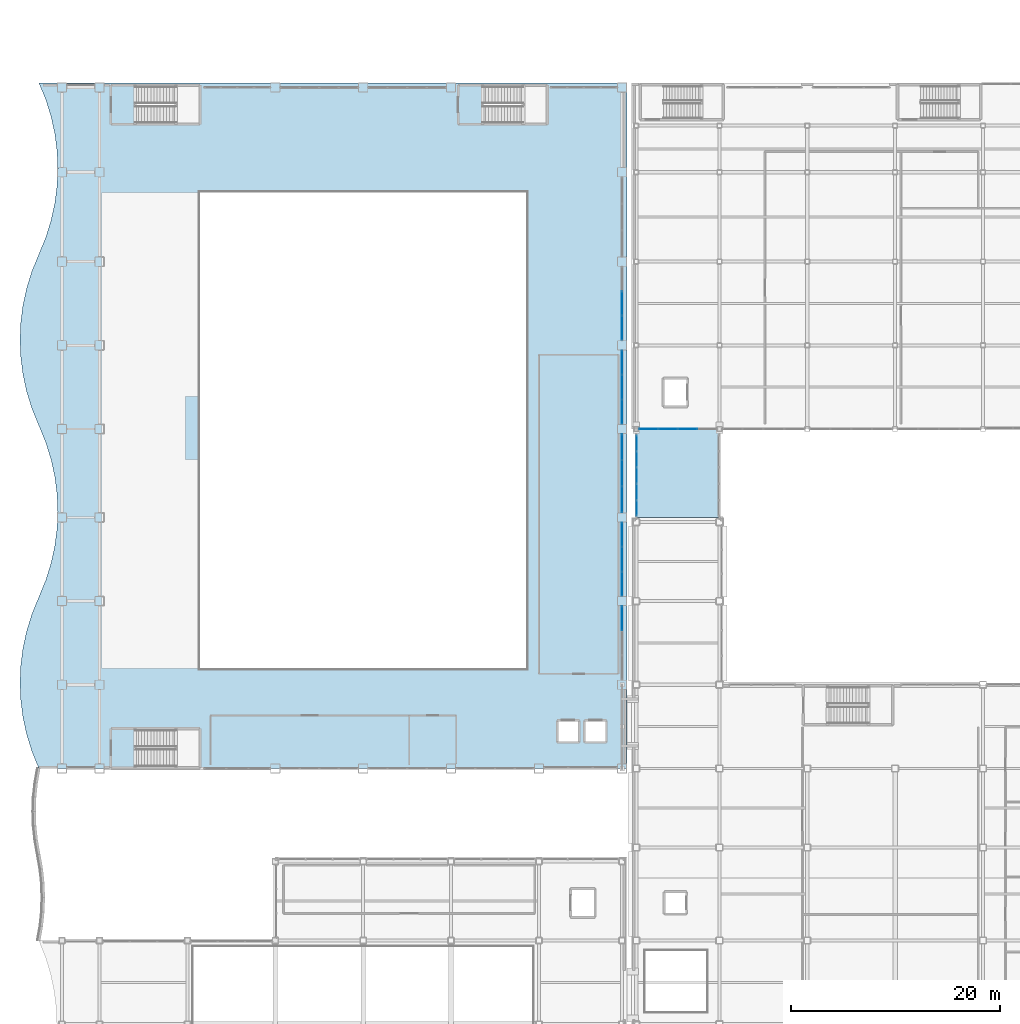
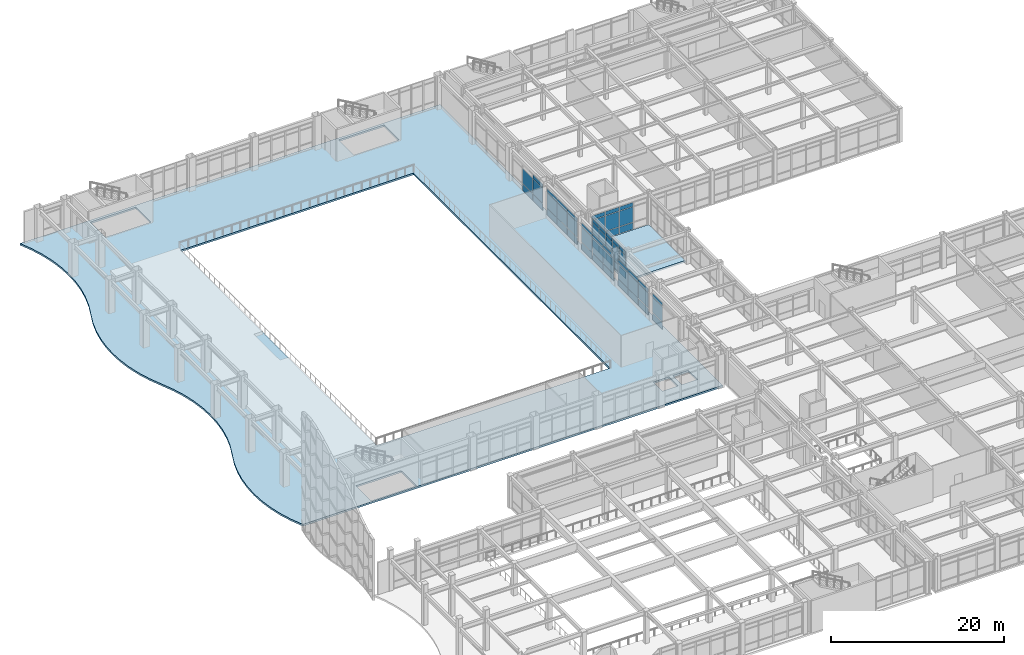
# One storey, part 130 of 172: 59 plates, 2 slabs, 7 elements without a shape of their own.
"""IFC4 building model written with IfcOpenShell, lengths in metres."""

from ifc_helpers import new_model, si_unit, direction, frame, origin, origin_2d, place, context, subcontext, project, spatial, polyline, rectangle, outline, extrude, material, layer, layer_set, type_object, element, aggregate, save


model = new_model("IFC4")

# Units and contexts
model_context = context("Model", 3, precision=1e-05, world=origin(), true_north=direction((0.0, 1.0)))
body_context = subcontext(model_context, "Body", "Model", "MODEL_VIEW")
ifc_project = project(units=[si_unit("LENGTHUNIT", "METRE"), si_unit("AREAUNIT", "SQUARE_METRE"), si_unit("VOLUMEUNIT", "CUBIC_METRE"), si_unit("PLANEANGLEUNIT", "RADIAN"), si_unit("MASSUNIT", "GRAM", prefix="KILO")], contexts=[model_context])

# Site, building, storey
site_placement = place(None, origin())
site = spatial("IfcSite", under=ifc_project, at=site_placement, CompositionType="ELEMENT")
building_placement = place(site_placement, origin())
building = spatial("IfcBuilding", under=site, at=building_placement, Name="Kazehara Bluff Congress Hotel", CompositionType="ELEMENT")
storey_placement = place(building_placement, frame((0.0, 0.0, 5.39990234375)))
storey = spatial("IfcBuildingStorey", under=building, at=storey_placement, Name="L01", CompositionType="ELEMENT", Elevation=5.39990234375)

# Curtain wall, plates
ifc_material_1 = material(Name="Anodised aluminium", Category="aluminium")
ifc_layer_1 = layer(ifc_material_1, 0.159912109375)
ifc_layer_set_1 = layer_set([ifc_layer_1], Name="Anodised aluminium")
curtain_wall_type_1 = type_object("IfcCurtainWallType", Name="TP-CW-02", PredefinedType="NOTDEFINED", material=ifc_layer_set_1)
curtain_wall_1_placement = place(storey_placement, origin())
curtain_wall_1 = element("IfcCurtainWall", 1, at=curtain_wall_1_placement, inside=storey, type_object=curtain_wall_type_1, Name="L01 curtain wall CW-02 CW-BRG-34-L01-A", PredefinedType="NOTDEFINED")
ifc_material_2 = material(Name="Insulated low-E double glazing", Category="glass")
ifc_layer_2 = layer(ifc_material_2, 0.028076171875)
ifc_layer_set_2 = layer_set([ifc_layer_2], Name="Insulated low-E double glazing")
plate_type = type_object("IfcPlateType", Name="TP-CWP-01", PredefinedType="CURTAIN_PANEL", material=ifc_layer_set_2)
plate_1_placement = place(storey_placement, frame((59.75, 73.347412109375, 0.06494140625), z_axis=(0.0, 0.0, 1.0), x_axis=(0.0, 1.0, 0.0)))
plate_1 = element("IfcPlate", 2, at=plate_1_placement, type_object=plate_type, Name="CW-02 panel 1.1", PredefinedType="CURTAIN_PANEL", context=body_context, shape_type="SweptSolid", body=[
    extrude(rectangle(XDim=1.455078125, YDim=0.028076171875, at=origin_2d()), origin(), (0.0, 0.0, 1.0), 0.952392578125),
])
plate_2_placement = place(storey_placement, frame((59.75, 73.347412109375, 1.08251953125), z_axis=(0.0, 0.0, 1.0), x_axis=(0.0, 1.0, 0.0)))
plate_2 = element("IfcPlate", 3, at=plate_2_placement, type_object=plate_type, Name="CW-02 panel 1.2", PredefinedType="CURTAIN_PANEL", context=body_context, shape_type="SweptSolid", body=[
    extrude(rectangle(XDim=1.455078125, YDim=0.028076171875, at=origin_2d()), origin(), (0.0, 0.0, 1.0), 2.260009765625),
])
plate_3_placement = place(storey_placement, frame((59.75, 73.347412109375, 3.40771484375), z_axis=(0.0, 0.0, 1.0), x_axis=(0.0, 1.0, 0.0)))
plate_3 = element("IfcPlate", 4, at=plate_3_placement, type_object=plate_type, Name="CW-02 panel 1.3", PredefinedType="CURTAIN_PANEL", context=body_context, shape_type="SweptSolid", body=[
    extrude(rectangle(XDim=1.455078125, YDim=0.028076171875, at=origin_2d()), origin(), (0.0, 0.0, 1.0), 0.552490234375),
])
plate_4_placement = place(storey_placement, frame((59.75, 74.889892578125, 0.06494140625), z_axis=(0.0, 0.0, 1.0), x_axis=(0.0, 1.0, 0.0)))
plate_4 = element("IfcPlate", 5, at=plate_4_placement, type_object=plate_type, Name="CW-02 panel 2.1", PredefinedType="CURTAIN_PANEL", context=body_context, shape_type="SweptSolid", body=[
    extrude(rectangle(XDim=1.489990234375, YDim=0.028076171875, at=origin_2d()), origin(), (0.0, 0.0, 1.0), 0.952392578125),
])
plate_5_placement = place(storey_placement, frame((59.75, 74.889892578125, 1.08251953125), z_axis=(0.0, 0.0, 1.0), x_axis=(0.0, 1.0, 0.0)))
plate_5 = element("IfcPlate", 6, at=plate_5_placement, type_object=plate_type, Name="CW-02 panel 2.2", PredefinedType="CURTAIN_PANEL", context=body_context, shape_type="SweptSolid", body=[
    extrude(rectangle(XDim=1.489990234375, YDim=0.028076171875, at=origin_2d()), origin(), (0.0, 0.0, 1.0), 2.260009765625),
])
plate_6_placement = place(storey_placement, frame((59.75, 74.889892578125, 3.40771484375), z_axis=(0.0, 0.0, 1.0), x_axis=(0.0, 1.0, 0.0)))
plate_6 = element("IfcPlate", 7, at=plate_6_placement, type_object=plate_type, Name="CW-02 panel 2.3", PredefinedType="CURTAIN_PANEL", context=body_context, shape_type="SweptSolid", body=[
    extrude(rectangle(XDim=1.489990234375, YDim=0.028076171875, at=origin_2d()), origin(), (0.0, 0.0, 1.0), 0.552490234375),
])
plate_7_placement = place(storey_placement, frame((59.75, 76.449951171875, 0.06494140625), z_axis=(0.0, 0.0, 1.0), x_axis=(0.0, 1.0, 0.0)))
plate_7 = element("IfcPlate", 8, at=plate_7_placement, type_object=plate_type, Name="CW-02 panel 3.1", PredefinedType="CURTAIN_PANEL", context=body_context, shape_type="SweptSolid", body=[
    extrude(rectangle(XDim=1.489990234375, YDim=0.028076171875, at=origin_2d()), origin(), (0.0, 0.0, 1.0), 0.952392578125),
])
plate_8_placement = place(storey_placement, frame((59.75, 76.449951171875, 1.08251953125), z_axis=(0.0, 0.0, 1.0), x_axis=(0.0, 1.0, 0.0)))
plate_8 = element("IfcPlate", 9, at=plate_8_placement, type_object=plate_type, Name="CW-02 panel 3.2", PredefinedType="CURTAIN_PANEL", context=body_context, shape_type="SweptSolid", body=[
    extrude(rectangle(XDim=1.489990234375, YDim=0.028076171875, at=origin_2d()), origin(), (0.0, 0.0, 1.0), 2.260009765625),
])
plate_9_placement = place(storey_placement, frame((59.75, 76.449951171875, 3.40771484375), z_axis=(0.0, 0.0, 1.0), x_axis=(0.0, 1.0, 0.0)))
plate_9 = element("IfcPlate", 10, at=plate_9_placement, type_object=plate_type, Name="CW-02 panel 3.3", PredefinedType="CURTAIN_PANEL", context=body_context, shape_type="SweptSolid", body=[
    extrude(rectangle(XDim=1.489990234375, YDim=0.028076171875, at=origin_2d()), origin(), (0.0, 0.0, 1.0), 0.552490234375),
])
plate_10_placement = place(storey_placement, frame((59.75, 78.010009765625, 0.06494140625), z_axis=(0.0, 0.0, 1.0), x_axis=(0.0, 1.0, 0.0)))
plate_10 = element("IfcPlate", 11, at=plate_10_placement, type_object=plate_type, Name="CW-02 panel 4.1", PredefinedType="CURTAIN_PANEL", context=body_context, shape_type="SweptSolid", body=[
    extrude(rectangle(XDim=1.489990234375, YDim=0.028076171875, at=origin_2d()), origin(), (0.0, 0.0, 1.0), 0.952392578125),
])
plate_11_placement = place(storey_placement, frame((59.75, 78.010009765625, 1.08251953125), z_axis=(0.0, 0.0, 1.0), x_axis=(0.0, 1.0, 0.0)))
plate_11 = element("IfcPlate", 12, at=plate_11_placement, type_object=plate_type, Name="CW-02 panel 4.2", PredefinedType="CURTAIN_PANEL", context=body_context, shape_type="SweptSolid", body=[
    extrude(rectangle(XDim=1.489990234375, YDim=0.028076171875, at=origin_2d()), origin(), (0.0, 0.0, 1.0), 2.260009765625),
])
plate_12_placement = place(storey_placement, frame((59.75, 78.010009765625, 3.40771484375), z_axis=(0.0, 0.0, 1.0), x_axis=(0.0, 1.0, 0.0)))
plate_12 = element("IfcPlate", 13, at=plate_12_placement, type_object=plate_type, Name="CW-02 panel 4.3", PredefinedType="CURTAIN_PANEL", context=body_context, shape_type="SweptSolid", body=[
    extrude(rectangle(XDim=1.489990234375, YDim=0.028076171875, at=origin_2d()), origin(), (0.0, 0.0, 1.0), 0.552490234375),
])
plate_13_placement = place(storey_placement, frame((59.75, 79.552490234375, 0.06494140625), z_axis=(0.0, 0.0, 1.0), x_axis=(0.0, 1.0, 0.0)))
plate_13 = element("IfcPlate", 14, at=plate_13_placement, type_object=plate_type, Name="CW-02 panel 5.1", PredefinedType="CURTAIN_PANEL", context=body_context, shape_type="SweptSolid", body=[
    extrude(rectangle(XDim=1.455078125, YDim=0.028076171875, at=origin_2d()), origin(), (0.0, 0.0, 1.0), 0.952392578125),
])
plate_14_placement = place(storey_placement, frame((59.75, 79.552490234375, 1.08251953125), z_axis=(0.0, 0.0, 1.0), x_axis=(0.0, 1.0, 0.0)))
plate_14 = element("IfcPlate", 15, at=plate_14_placement, type_object=plate_type, Name="CW-02 panel 5.2", PredefinedType="CURTAIN_PANEL", context=body_context, shape_type="SweptSolid", body=[
    extrude(rectangle(XDim=1.455078125, YDim=0.028076171875, at=origin_2d()), origin(), (0.0, 0.0, 1.0), 2.260009765625),
])
plate_15_placement = place(storey_placement, frame((59.75, 79.552490234375, 3.40771484375), z_axis=(0.0, 0.0, 1.0), x_axis=(0.0, 1.0, 0.0)))
plate_15 = element("IfcPlate", 16, at=plate_15_placement, type_object=plate_type, Name="CW-02 panel 5.3", PredefinedType="CURTAIN_PANEL", context=body_context, shape_type="SweptSolid", body=[
    extrude(rectangle(XDim=1.455078125, YDim=0.028076171875, at=origin_2d()), origin(), (0.0, 0.0, 1.0), 0.552490234375),
])
aggregate(curtain_wall_1, [plate_1, plate_2, plate_3, plate_4, plate_5, plate_6, plate_7, plate_8, plate_9, plate_10, plate_11, plate_12, plate_13, plate_14, plate_15])

ifc_material_3 = material(Name="Anodised aluminium", Category="aluminium")
ifc_layer_3 = layer(ifc_material_3, 0.159912109375)
ifc_layer_set_3 = layer_set([ifc_layer_3], Name="Anodised aluminium")
curtain_wall_type_2 = type_object("IfcCurtainWallType", Name="TP-CW-20", PredefinedType="NOTDEFINED", material=ifc_layer_set_3)
curtain_wall_2_placement = place(storey_placement, origin())
curtain_wall_2 = element("IfcCurtainWall", 17, at=curtain_wall_2_placement, inside=storey, type_object=curtain_wall_type_2, Name="L01 curtain wall CW-20 CW-V1-L01-X5835-5690", PredefinedType="NOTDEFINED")
plate_16_placement = place(storey_placement, frame((58.35009765625, 62.800537109375, 0.06494140625), z_axis=(0.0, 0.0, 1.0), x_axis=(0.0, 1.0, 0.0)))
plate_16 = element("IfcPlate", 18, at=plate_16_placement, type_object=plate_type, Name="CW-20 panel 3.1", PredefinedType="CURTAIN_PANEL", context=body_context, shape_type="SweptSolid", body=[
    extrude(rectangle(XDim=2.269287109375, YDim=0.028076171875, at=origin_2d()), origin(), (0.0, 0.0, 1.0), 0.952392578125),
])
plate_17_placement = place(storey_placement, frame((58.35009765625, 62.800537109375, 1.08251953125), z_axis=(0.0, 0.0, 1.0), x_axis=(0.0, 1.0, 0.0)))
plate_17 = element("IfcPlate", 19, at=plate_17_placement, type_object=plate_type, Name="CW-20 panel 3.2", PredefinedType="CURTAIN_PANEL", context=body_context, shape_type="SweptSolid", body=[
    extrude(rectangle(XDim=2.269287109375, YDim=0.028076171875, at=origin_2d()), origin(), (0.0, 0.0, 1.0), 2.110107421875),
])
plate_18_placement = place(storey_placement, frame((58.35009765625, 62.800537109375, 3.2578125), z_axis=(0.0, 0.0, 1.0), x_axis=(0.0, 1.0, 0.0)))
plate_18 = element("IfcPlate", 20, at=plate_18_placement, type_object=plate_type, Name="CW-20 panel 3.3", PredefinedType="CURTAIN_PANEL", context=body_context, shape_type="SweptSolid", body=[
    extrude(rectangle(XDim=2.269287109375, YDim=0.028076171875, at=origin_2d()), origin(), (0.0, 0.0, 1.0), 0.552490234375),
])
aggregate(curtain_wall_2, [plate_16, plate_17, plate_18])

curtain_wall_3_placement = place(storey_placement, origin())
curtain_wall_3 = element("IfcCurtainWall", 21, at=curtain_wall_3_placement, inside=storey, type_object=curtain_wall_type_2, Name="L01 curtain wall CW-20 CW-V1-L01-X5835-6490", PredefinedType="NOTDEFINED")
plate_19_placement = place(storey_placement, frame((58.35009765625, 66.099609375, 0.06494140625), z_axis=(0.0, 0.0, 1.0), x_axis=(0.0, 1.0, 0.0)))
plate_19 = element("IfcPlate", 22, at=plate_19_placement, type_object=plate_type, Name="CW-20 panel 1.1", PredefinedType="CURTAIN_PANEL", context=body_context, shape_type="SweptSolid", body=[
    extrude(rectangle(XDim=2.269287109375, YDim=0.028076171875, at=origin_2d()), origin(), (0.0, 0.0, 1.0), 0.952392578125),
])
plate_20_placement = place(storey_placement, frame((58.35009765625, 66.099609375, 1.08251953125), z_axis=(0.0, 0.0, 1.0), x_axis=(0.0, 1.0, 0.0)))
plate_20 = element("IfcPlate", 23, at=plate_20_placement, type_object=plate_type, Name="CW-20 panel 1.2", PredefinedType="CURTAIN_PANEL", context=body_context, shape_type="SweptSolid", body=[
    extrude(rectangle(XDim=2.269287109375, YDim=0.028076171875, at=origin_2d()), origin(), (0.0, 0.0, 1.0), 2.110107421875),
])
plate_21_placement = place(storey_placement, frame((58.35009765625, 66.099609375, 3.2578125), z_axis=(0.0, 0.0, 1.0), x_axis=(0.0, 1.0, 0.0)))
plate_21 = element("IfcPlate", 24, at=plate_21_placement, type_object=plate_type, Name="CW-20 panel 1.3", PredefinedType="CURTAIN_PANEL", context=body_context, shape_type="SweptSolid", body=[
    extrude(rectangle(XDim=2.269287109375, YDim=0.028076171875, at=origin_2d()), origin(), (0.0, 0.0, 1.0), 0.552490234375),
])
plate_22_placement = place(storey_placement, frame((58.35009765625, 68.449951171875, 0.06494140625), z_axis=(0.0, 0.0, 1.0), x_axis=(0.0, 1.0, 0.0)))
plate_22 = element("IfcPlate", 25, at=plate_22_placement, type_object=plate_type, Name="CW-20 panel 2.1", PredefinedType="CURTAIN_PANEL", context=body_context, shape_type="SweptSolid", body=[
    extrude(rectangle(XDim=2.3017578125, YDim=0.028076171875, at=origin_2d()), origin(), (0.0, 0.0, 1.0), 0.952392578125),
])
plate_23_placement = place(storey_placement, frame((58.35009765625, 68.449951171875, 1.08251953125), z_axis=(0.0, 0.0, 1.0), x_axis=(0.0, 1.0, 0.0)))
plate_23 = element("IfcPlate", 26, at=plate_23_placement, type_object=plate_type, Name="CW-20 panel 2.2", PredefinedType="CURTAIN_PANEL", context=body_context, shape_type="SweptSolid", body=[
    extrude(rectangle(XDim=2.3017578125, YDim=0.028076171875, at=origin_2d()), origin(), (0.0, 0.0, 1.0), 2.110107421875),
])
plate_24_placement = place(storey_placement, frame((58.35009765625, 68.449951171875, 3.2578125), z_axis=(0.0, 0.0, 1.0), x_axis=(0.0, 1.0, 0.0)))
plate_24 = element("IfcPlate", 27, at=plate_24_placement, type_object=plate_type, Name="CW-20 panel 2.3", PredefinedType="CURTAIN_PANEL", context=body_context, shape_type="SweptSolid", body=[
    extrude(rectangle(XDim=2.3017578125, YDim=0.028076171875, at=origin_2d()), origin(), (0.0, 0.0, 1.0), 0.552490234375),
])
plate_25_placement = place(storey_placement, frame((58.35009765625, 70.800537109375, 0.06494140625), z_axis=(0.0, 0.0, 1.0), x_axis=(0.0, 1.0, 0.0)))
plate_25 = element("IfcPlate", 28, at=plate_25_placement, type_object=plate_type, Name="CW-20 panel 3.1", PredefinedType="CURTAIN_PANEL", context=body_context, shape_type="SweptSolid", body=[
    extrude(rectangle(XDim=2.269287109375, YDim=0.028076171875, at=origin_2d()), origin(), (0.0, 0.0, 1.0), 0.952392578125),
])
plate_26_placement = place(storey_placement, frame((58.35009765625, 70.800537109375, 1.08251953125), z_axis=(0.0, 0.0, 1.0), x_axis=(0.0, 1.0, 0.0)))
plate_26 = element("IfcPlate", 29, at=plate_26_placement, type_object=plate_type, Name="CW-20 panel 3.2", PredefinedType="CURTAIN_PANEL", context=body_context, shape_type="SweptSolid", body=[
    extrude(rectangle(XDim=2.269287109375, YDim=0.028076171875, at=origin_2d()), origin(), (0.0, 0.0, 1.0), 2.110107421875),
])
plate_27_placement = place(storey_placement, frame((58.35009765625, 70.800537109375, 3.2578125), z_axis=(0.0, 0.0, 1.0), x_axis=(0.0, 1.0, 0.0)))
plate_27 = element("IfcPlate", 30, at=plate_27_placement, type_object=plate_type, Name="CW-20 panel 3.3", PredefinedType="CURTAIN_PANEL", context=body_context, shape_type="SweptSolid", body=[
    extrude(rectangle(XDim=2.269287109375, YDim=0.028076171875, at=origin_2d()), origin(), (0.0, 0.0, 1.0), 0.552490234375),
])
aggregate(curtain_wall_3, [plate_19, plate_20, plate_21, plate_22, plate_23, plate_24, plate_25, plate_26, plate_27])

ifc_material_4 = material(Name="Anodised aluminium", Category="aluminium")
ifc_layer_4 = layer(ifc_material_4, 0.159912109375)
ifc_layer_set_4 = layer_set([ifc_layer_4], Name="Anodised aluminium")
curtain_wall_type_3 = type_object("IfcCurtainWallType", Name="TP-CW-21", PredefinedType="NOTDEFINED", material=ifc_layer_set_4)
curtain_wall_4_placement = place(storey_placement, origin())
curtain_wall_4 = element("IfcCurtainWall", 31, at=curtain_wall_4_placement, inside=storey, type_object=curtain_wall_type_3, Name="L01 curtain wall CW-21 CW-V1-L01-X5835-7290", PredefinedType="NOTDEFINED")
plate_28_placement = place(storey_placement, frame((58.35009765625, 74.174560546875, 0.06494140625), z_axis=(0.0, 0.0, 1.0), x_axis=(0.0, 1.0, 0.0)))
plate_28 = element("IfcPlate", 32, at=plate_28_placement, type_object=plate_type, Name="CW-21 panel 1.1", PredefinedType="CURTAIN_PANEL", context=body_context, shape_type="SweptSolid", body=[
    extrude(rectangle(XDim=2.419189453125, YDim=0.028076171875, at=origin_2d()), origin(), (0.0, 0.0, 1.0), 0.952392578125),
])
plate_29_placement = place(storey_placement, frame((58.35009765625, 74.174560546875, 1.08251953125), z_axis=(0.0, 0.0, 1.0), x_axis=(0.0, 1.0, 0.0)))
plate_29 = element("IfcPlate", 33, at=plate_29_placement, type_object=plate_type, Name="CW-21 panel 1.2", PredefinedType="CURTAIN_PANEL", context=body_context, shape_type="SweptSolid", body=[
    extrude(rectangle(XDim=2.419189453125, YDim=0.028076171875, at=origin_2d()), origin(), (0.0, 0.0, 1.0), 2.110107421875),
])
plate_30_placement = place(storey_placement, frame((58.35009765625, 74.174560546875, 3.2578125), z_axis=(0.0, 0.0, 1.0), x_axis=(0.0, 1.0, 0.0)))
plate_30 = element("IfcPlate", 34, at=plate_30_placement, type_object=plate_type, Name="CW-21 panel 1.3", PredefinedType="CURTAIN_PANEL", context=body_context, shape_type="SweptSolid", body=[
    extrude(rectangle(XDim=2.419189453125, YDim=0.028076171875, at=origin_2d()), origin(), (0.0, 0.0, 1.0), 0.552490234375),
])
plate_31_placement = place(storey_placement, frame((58.35009765625, 76.675048828125, 0.06494140625), z_axis=(0.0, 0.0, 1.0), x_axis=(0.0, 1.0, 0.0)))
plate_31 = element("IfcPlate", 35, at=plate_31_placement, type_object=plate_type, Name="CW-21 panel 2.1", PredefinedType="CURTAIN_PANEL", context=body_context, shape_type="SweptSolid", body=[
    extrude(rectangle(XDim=2.45166015625, YDim=0.028076171875, at=origin_2d()), origin(), (0.0, 0.0, 1.0), 0.952392578125),
])
plate_32_placement = place(storey_placement, frame((58.35009765625, 76.675048828125, 1.08251953125), z_axis=(0.0, 0.0, 1.0), x_axis=(0.0, 1.0, 0.0)))
plate_32 = element("IfcPlate", 36, at=plate_32_placement, type_object=plate_type, Name="CW-21 panel 2.2", PredefinedType="CURTAIN_PANEL", context=body_context, shape_type="SweptSolid", body=[
    extrude(rectangle(XDim=2.45166015625, YDim=0.028076171875, at=origin_2d()), origin(), (0.0, 0.0, 1.0), 2.110107421875),
])
plate_33_placement = place(storey_placement, frame((58.35009765625, 76.675048828125, 3.2578125), z_axis=(0.0, 0.0, 1.0), x_axis=(0.0, 1.0, 0.0)))
plate_33 = element("IfcPlate", 37, at=plate_33_placement, type_object=plate_type, Name="CW-21 panel 2.3", PredefinedType="CURTAIN_PANEL", context=body_context, shape_type="SweptSolid", body=[
    extrude(rectangle(XDim=2.45166015625, YDim=0.028076171875, at=origin_2d()), origin(), (0.0, 0.0, 1.0), 0.552490234375),
])
plate_34_placement = place(storey_placement, frame((58.35009765625, 79.175537109375, 0.06494140625), z_axis=(0.0, 0.0, 1.0), x_axis=(0.0, 1.0, 0.0)))
plate_34 = element("IfcPlate", 38, at=plate_34_placement, type_object=plate_type, Name="CW-21 panel 3.1", PredefinedType="CURTAIN_PANEL", context=body_context, shape_type="SweptSolid", body=[
    extrude(rectangle(XDim=2.419189453125, YDim=0.028076171875, at=origin_2d()), origin(), (0.0, 0.0, 1.0), 0.952392578125),
])
plate_35_placement = place(storey_placement, frame((58.35009765625, 79.175537109375, 1.08251953125), z_axis=(0.0, 0.0, 1.0), x_axis=(0.0, 1.0, 0.0)))
plate_35 = element("IfcPlate", 39, at=plate_35_placement, type_object=plate_type, Name="CW-21 panel 3.2", PredefinedType="CURTAIN_PANEL", context=body_context, shape_type="SweptSolid", body=[
    extrude(rectangle(XDim=2.419189453125, YDim=0.028076171875, at=origin_2d()), origin(), (0.0, 0.0, 1.0), 2.110107421875),
])
plate_36_placement = place(storey_placement, frame((58.35009765625, 79.175537109375, 3.2578125), z_axis=(0.0, 0.0, 1.0), x_axis=(0.0, 1.0, 0.0)))
plate_36 = element("IfcPlate", 40, at=plate_36_placement, type_object=plate_type, Name="CW-21 panel 3.3", PredefinedType="CURTAIN_PANEL", context=body_context, shape_type="SweptSolid", body=[
    extrude(rectangle(XDim=2.419189453125, YDim=0.028076171875, at=origin_2d()), origin(), (0.0, 0.0, 1.0), 0.552490234375),
])
aggregate(curtain_wall_4, [plate_28, plate_29, plate_30, plate_31, plate_32, plate_33, plate_34, plate_35, plate_36])

curtain_wall_5_placement = place(storey_placement, origin())
curtain_wall_5 = element("IfcCurtainWall", 41, at=curtain_wall_5_placement, inside=storey, type_object=curtain_wall_type_2, Name="L01 curtain wall CW-20 CW-V1-L01-X5835-8135", PredefinedType="NOTDEFINED")
plate_37_placement = place(storey_placement, frame((58.35009765625, 82.549560546875, 0.06494140625), z_axis=(0.0, 0.0, 1.0), x_axis=(0.0, 1.0, 0.0)))
plate_37 = element("IfcPlate", 42, at=plate_37_placement, type_object=plate_type, Name="CW-20 panel 1.1", PredefinedType="CURTAIN_PANEL", context=body_context, shape_type="SweptSolid", body=[
    extrude(rectangle(XDim=2.269287109375, YDim=0.028076171875, at=origin_2d()), origin(), (0.0, 0.0, 1.0), 0.952392578125),
])
plate_38_placement = place(storey_placement, frame((58.35009765625, 82.549560546875, 1.08251953125), z_axis=(0.0, 0.0, 1.0), x_axis=(0.0, 1.0, 0.0)))
plate_38 = element("IfcPlate", 43, at=plate_38_placement, type_object=plate_type, Name="CW-20 panel 1.2", PredefinedType="CURTAIN_PANEL", context=body_context, shape_type="SweptSolid", body=[
    extrude(rectangle(XDim=2.269287109375, YDim=0.028076171875, at=origin_2d()), origin(), (0.0, 0.0, 1.0), 2.110107421875),
])
plate_39_placement = place(storey_placement, frame((58.35009765625, 82.549560546875, 3.2578125), z_axis=(0.0, 0.0, 1.0), x_axis=(0.0, 1.0, 0.0)))
plate_39 = element("IfcPlate", 44, at=plate_39_placement, type_object=plate_type, Name="CW-20 panel 1.3", PredefinedType="CURTAIN_PANEL", context=body_context, shape_type="SweptSolid", body=[
    extrude(rectangle(XDim=2.269287109375, YDim=0.028076171875, at=origin_2d()), origin(), (0.0, 0.0, 1.0), 0.552490234375),
])
plate_40_placement = place(storey_placement, frame((58.35009765625, 84.89990234375, 0.06494140625), z_axis=(0.0, 0.0, 1.0), x_axis=(0.0, 1.0, 0.0)))
plate_40 = element("IfcPlate", 45, at=plate_40_placement, type_object=plate_type, Name="CW-20 panel 2.1", PredefinedType="CURTAIN_PANEL", context=body_context, shape_type="SweptSolid", body=[
    extrude(rectangle(XDim=2.3017578125, YDim=0.028076171875, at=origin_2d()), origin(), (0.0, 0.0, 1.0), 0.952392578125),
])
plate_41_placement = place(storey_placement, frame((58.35009765625, 84.89990234375, 1.08251953125), z_axis=(0.0, 0.0, 1.0), x_axis=(0.0, 1.0, 0.0)))
plate_41 = element("IfcPlate", 46, at=plate_41_placement, type_object=plate_type, Name="CW-20 panel 2.2", PredefinedType="CURTAIN_PANEL", context=body_context, shape_type="SweptSolid", body=[
    extrude(rectangle(XDim=2.3017578125, YDim=0.028076171875, at=origin_2d()), origin(), (0.0, 0.0, 1.0), 2.110107421875),
])
plate_42_placement = place(storey_placement, frame((58.35009765625, 84.89990234375, 3.2578125), z_axis=(0.0, 0.0, 1.0), x_axis=(0.0, 1.0, 0.0)))
plate_42 = element("IfcPlate", 47, at=plate_42_placement, type_object=plate_type, Name="CW-20 panel 2.3", PredefinedType="CURTAIN_PANEL", context=body_context, shape_type="SweptSolid", body=[
    extrude(rectangle(XDim=2.3017578125, YDim=0.028076171875, at=origin_2d()), origin(), (0.0, 0.0, 1.0), 0.552490234375),
])
plate_43_placement = place(storey_placement, frame((58.35009765625, 87.25048828125, 0.06494140625), z_axis=(0.0, 0.0, 1.0), x_axis=(0.0, 1.0, 0.0)))
plate_43 = element("IfcPlate", 48, at=plate_43_placement, type_object=plate_type, Name="CW-20 panel 3.1", PredefinedType="CURTAIN_PANEL", context=body_context, shape_type="SweptSolid", body=[
    extrude(rectangle(XDim=2.269287109375, YDim=0.028076171875, at=origin_2d()), origin(), (0.0, 0.0, 1.0), 0.952392578125),
])
plate_44_placement = place(storey_placement, frame((58.35009765625, 87.25048828125, 1.08251953125), z_axis=(0.0, 0.0, 1.0), x_axis=(0.0, 1.0, 0.0)))
plate_44 = element("IfcPlate", 49, at=plate_44_placement, type_object=plate_type, Name="CW-20 panel 3.2", PredefinedType="CURTAIN_PANEL", context=body_context, shape_type="SweptSolid", body=[
    extrude(rectangle(XDim=2.269287109375, YDim=0.028076171875, at=origin_2d()), origin(), (0.0, 0.0, 1.0), 2.110107421875),
])
plate_45_placement = place(storey_placement, frame((58.35009765625, 87.25048828125, 3.2578125), z_axis=(0.0, 0.0, 1.0), x_axis=(0.0, 1.0, 0.0)))
plate_45 = element("IfcPlate", 50, at=plate_45_placement, type_object=plate_type, Name="CW-20 panel 3.3", PredefinedType="CURTAIN_PANEL", context=body_context, shape_type="SweptSolid", body=[
    extrude(rectangle(XDim=2.269287109375, YDim=0.028076171875, at=origin_2d()), origin(), (0.0, 0.0, 1.0), 0.552490234375),
])
aggregate(curtain_wall_5, [plate_37, plate_38, plate_39, plate_40, plate_41, plate_42, plate_43, plate_44, plate_45])

curtain_wall_6_placement = place(storey_placement, origin())
curtain_wall_6 = element("IfcCurtainWall", 51, at=curtain_wall_6_placement, inside=storey, type_object=curtain_wall_type_2, Name="L01 curtain wall CW-20 CW-V1-L01-X5835-8935", PredefinedType="NOTDEFINED")
plate_46_placement = place(storey_placement, frame((58.35009765625, 90.549560546875, 0.06494140625), z_axis=(0.0, 0.0, 1.0), x_axis=(0.0, 1.0, 0.0)))
plate_46 = element("IfcPlate", 52, at=plate_46_placement, type_object=plate_type, Name="CW-20 panel 1.1", PredefinedType="CURTAIN_PANEL", context=body_context, shape_type="SweptSolid", body=[
    extrude(rectangle(XDim=2.269287109375, YDim=0.028076171875, at=origin_2d()), origin(), (0.0, 0.0, 1.0), 0.952392578125),
])
plate_47_placement = place(storey_placement, frame((58.35009765625, 90.549560546875, 1.08251953125), z_axis=(0.0, 0.0, 1.0), x_axis=(0.0, 1.0, 0.0)))
plate_47 = element("IfcPlate", 53, at=plate_47_placement, type_object=plate_type, Name="CW-20 panel 1.2", PredefinedType="CURTAIN_PANEL", context=body_context, shape_type="SweptSolid", body=[
    extrude(rectangle(XDim=2.269287109375, YDim=0.028076171875, at=origin_2d()), origin(), (0.0, 0.0, 1.0), 2.110107421875),
])
plate_48_placement = place(storey_placement, frame((58.35009765625, 90.549560546875, 3.2578125), z_axis=(0.0, 0.0, 1.0), x_axis=(0.0, 1.0, 0.0)))
plate_48 = element("IfcPlate", 54, at=plate_48_placement, type_object=plate_type, Name="CW-20 panel 1.3", PredefinedType="CURTAIN_PANEL", context=body_context, shape_type="SweptSolid", body=[
    extrude(rectangle(XDim=2.269287109375, YDim=0.028076171875, at=origin_2d()), origin(), (0.0, 0.0, 1.0), 0.552490234375),
])
plate_49_placement = place(storey_placement, frame((58.35009765625, 92.89990234375, 0.06494140625), z_axis=(0.0, 0.0, 1.0), x_axis=(0.0, 1.0, 0.0)))
plate_49 = element("IfcPlate", 55, at=plate_49_placement, type_object=plate_type, Name="CW-20 panel 2.1", PredefinedType="CURTAIN_PANEL", context=body_context, shape_type="SweptSolid", body=[
    extrude(rectangle(XDim=2.3017578125, YDim=0.028076171875, at=origin_2d()), origin(), (0.0, 0.0, 1.0), 0.952392578125),
])
plate_50_placement = place(storey_placement, frame((58.35009765625, 92.89990234375, 1.08251953125), z_axis=(0.0, 0.0, 1.0), x_axis=(0.0, 1.0, 0.0)))
plate_50 = element("IfcPlate", 56, at=plate_50_placement, type_object=plate_type, Name="CW-20 panel 2.2", PredefinedType="CURTAIN_PANEL", context=body_context, shape_type="SweptSolid", body=[
    extrude(rectangle(XDim=2.3017578125, YDim=0.028076171875, at=origin_2d()), origin(), (0.0, 0.0, 1.0), 2.110107421875),
])
aggregate(curtain_wall_6, [plate_46, plate_47, plate_48, plate_49, plate_50])

ifc_material_5 = material(Name="Anodised aluminium", Category="aluminium")
ifc_layer_5 = layer(ifc_material_5, 0.159912109375)
ifc_layer_set_5 = layer_set([ifc_layer_5], Name="Anodised aluminium")
curtain_wall_type_4 = type_object("IfcCurtainWallType", Name="TP-CW-13", PredefinedType="NOTDEFINED", material=ifc_layer_set_5)
curtain_wall_7_placement = place(storey_placement, origin())
curtain_wall_7 = element("IfcCurtainWall", 57, at=curtain_wall_7_placement, inside=storey, type_object=curtain_wall_type_4, Name="L01 curtain wall CW-13 CW-V3-L01-Y8090-5992", PredefinedType="NOTDEFINED")
plate_51_placement = place(storey_placement, frame((60.878662109375, 80.89990234375, 0.06494140625), z_axis=(0.0, 0.0, 1.0), x_axis=(1.0, 0.0, 0.0)))
plate_51 = element("IfcPlate", 58, at=plate_51_placement, type_object=plate_type, Name="CW-13 panel 1.1", PredefinedType="CURTAIN_PANEL", context=body_context, shape_type="SweptSolid", body=[
    extrude(rectangle(XDim=1.777587890625, YDim=0.028076171875, at=origin_2d()), origin(), (0.0, 0.0, 1.0), 0.952392578125),
])
plate_52_placement = place(storey_placement, frame((60.878662109375, 80.89990234375, 1.08251953125), z_axis=(0.0, 0.0, 1.0), x_axis=(1.0, 0.0, 0.0)))
plate_52 = element("IfcPlate", 59, at=plate_52_placement, type_object=plate_type, Name="CW-13 panel 1.2", PredefinedType="CURTAIN_PANEL", context=body_context, shape_type="SweptSolid", body=[
    extrude(rectangle(XDim=1.777587890625, YDim=0.028076171875, at=origin_2d()), origin(), (0.0, 0.0, 1.0), 2.159912109375),
])
plate_53_placement = place(storey_placement, frame((60.878662109375, 80.89990234375, 3.3076171875), z_axis=(0.0, 0.0, 1.0), x_axis=(1.0, 0.0, 0.0)))
plate_53 = element("IfcPlate", 60, at=plate_53_placement, type_object=plate_type, Name="CW-13 panel 1.3", PredefinedType="CURTAIN_PANEL", context=body_context, shape_type="SweptSolid", body=[
    extrude(rectangle(XDim=1.777587890625, YDim=0.028076171875, at=origin_2d()), origin(), (0.0, 0.0, 1.0), 0.552490234375),
])
plate_54_placement = place(storey_placement, frame((62.737548828125, 80.89990234375, 0.06494140625), z_axis=(0.0, 0.0, 1.0), x_axis=(1.0, 0.0, 0.0)))
plate_54 = element("IfcPlate", 61, at=plate_54_placement, type_object=plate_type, Name="CW-13 panel 2.1", PredefinedType="CURTAIN_PANEL", context=body_context, shape_type="SweptSolid", body=[
    extrude(rectangle(XDim=1.81005859375, YDim=0.028076171875, at=origin_2d()), origin(), (0.0, 0.0, 1.0), 0.952392578125),
])
plate_55_placement = place(storey_placement, frame((62.737548828125, 80.89990234375, 1.08251953125), z_axis=(0.0, 0.0, 1.0), x_axis=(1.0, 0.0, 0.0)))
plate_55 = element("IfcPlate", 62, at=plate_55_placement, type_object=plate_type, Name="CW-13 panel 2.2", PredefinedType="CURTAIN_PANEL", context=body_context, shape_type="SweptSolid", body=[
    extrude(rectangle(XDim=1.81005859375, YDim=0.028076171875, at=origin_2d()), origin(), (0.0, 0.0, 1.0), 2.159912109375),
])
plate_56_placement = place(storey_placement, frame((62.737548828125, 80.89990234375, 3.3076171875), z_axis=(0.0, 0.0, 1.0), x_axis=(1.0, 0.0, 0.0)))
plate_56 = element("IfcPlate", 63, at=plate_56_placement, type_object=plate_type, Name="CW-13 panel 2.3", PredefinedType="CURTAIN_PANEL", context=body_context, shape_type="SweptSolid", body=[
    extrude(rectangle(XDim=1.81005859375, YDim=0.028076171875, at=origin_2d()), origin(), (0.0, 0.0, 1.0), 0.552490234375),
])
plate_57_placement = place(storey_placement, frame((64.612548828125, 80.89990234375, 0.06494140625), z_axis=(0.0, 0.0, 1.0), x_axis=(1.0, 0.0, 0.0)))
plate_57 = element("IfcPlate", 64, at=plate_57_placement, type_object=plate_type, Name="CW-13 panel 3.1", PredefinedType="CURTAIN_PANEL", context=body_context, shape_type="SweptSolid", body=[
    extrude(rectangle(XDim=1.81005859375, YDim=0.028076171875, at=origin_2d()), origin(), (0.0, 0.0, 1.0), 0.952392578125),
])
plate_58_placement = place(storey_placement, frame((64.612548828125, 80.89990234375, 1.08251953125), z_axis=(0.0, 0.0, 1.0), x_axis=(1.0, 0.0, 0.0)))
plate_58 = element("IfcPlate", 65, at=plate_58_placement, type_object=plate_type, Name="CW-13 panel 3.2", PredefinedType="CURTAIN_PANEL", context=body_context, shape_type="SweptSolid", body=[
    extrude(rectangle(XDim=1.81005859375, YDim=0.028076171875, at=origin_2d()), origin(), (0.0, 0.0, 1.0), 2.159912109375),
])
plate_59_placement = place(storey_placement, frame((64.612548828125, 80.89990234375, 3.3076171875), z_axis=(0.0, 0.0, 1.0), x_axis=(1.0, 0.0, 0.0)))
plate_59 = element("IfcPlate", 66, at=plate_59_placement, type_object=plate_type, Name="CW-13 panel 3.3", PredefinedType="CURTAIN_PANEL", context=body_context, shape_type="SweptSolid", body=[
    extrude(rectangle(XDim=1.81005859375, YDim=0.028076171875, at=origin_2d()), origin(), (0.0, 0.0, 1.0), 0.552490234375),
])
aggregate(curtain_wall_7, [plate_51, plate_52, plate_53, plate_54, plate_55, plate_56, plate_57, plate_58, plate_59])

# Slabs
ifc_material_6 = material(Name="Concrete C36/45", Category="concrete")
ifc_layer_6 = layer(ifc_material_6, 0.25)
ifc_layer_set_6 = layer_set([ifc_layer_6], Name="Concrete C36/45")
slab_type = type_object("IfcSlabType", Name="TP-SL-250", PredefinedType="FLOOR", material=ifc_layer_set_6)
slab_1_placement = place(storey_placement, frame((0.0, 0.0, -0.25)))
element("IfcSlab", 67, at=slab_1_placement, inside=storey, type_object=slab_type, Name="L01 V1 composite floor slab", PredefinedType="FLOOR", context=body_context, shape_type="SweptSolid", body=[
    extrude(outline(polyline([(58.800048828125, 48.449951171875), (58.800048828125, 114.0), (2.60009765625, 114.0), (3.27001953125, 112.360107421875), (3.77490234375, 110.719970703125), (4.1298828125, 109.0849609375), (4.3349609375, 107.445068359375), (4.405029296875, 105.804931640625), (4.3349609375, 104.1650390625), (4.1298828125, 102.530029296875), (3.77490234375, 100.889892578125), (3.27001953125, 99.25), (2.60009765625, 97.610107421875), (1.929931640625, 95.97509765625), (1.425048828125, 94.3349609375), (1.070068359375, 92.695068359375), (0.864990234375, 91.06005859375), (0.794921875, 89.419921875), (0.864990234375, 87.780029296875), (1.070068359375, 86.139892578125), (1.425048828125, 84.5), (1.929931640625, 82.864990234375), (2.60009765625, 81.22509765625), (3.27001953125, 79.5849609375), (3.77490234375, 77.949951171875), (4.1298828125, 76.31005859375), (4.3349609375, 74.669921875), (4.405029296875, 73.030029296875), (4.3349609375, 71.389892578125), (4.1298828125, 69.7548828125), (3.77490234375, 68.114990234375), (3.27001953125, 66.47509765625), (2.60009765625, 64.840087890625), (1.929931640625, 63.199951171875), (1.425048828125, 61.56005859375), (1.070068359375, 59.919921875), (0.864990234375, 58.280029296875), (0.794921875, 56.64501953125), (0.864990234375, 55.0048828125), (1.070068359375, 53.364990234375), (1.425048828125, 51.72998046875), (1.929931640625, 50.090087890625), (2.60009765625, 48.449951171875), (58.800048828125, 48.449951171875)]), holes=[polyline([(11.824951171875, 110.14990234375), (17.89990234375, 110.14990234375), (17.89990234375, 113.64990234375), (11.824951171875, 113.64990234375), (11.824951171875, 110.14990234375)]), polyline([(45.02490234375, 110.14990234375), (51.10009765625, 110.14990234375), (51.10009765625, 113.64990234375), (45.02490234375, 113.64990234375), (45.02490234375, 110.14990234375)]), polyline([(11.824951171875, 48.64990234375), (17.89990234375, 48.64990234375), (17.89990234375, 52.14990234375), (11.824951171875, 52.14990234375), (11.824951171875, 48.64990234375)]), polyline([(52.14990234375, 50.949951171875), (54.25, 50.949951171875), (54.25, 53.050048828125), (52.14990234375, 53.050048828125), (52.14990234375, 50.949951171875)]), polyline([(54.75, 50.949951171875), (56.85009765625, 50.949951171875), (56.85009765625, 53.050048828125), (54.75, 53.050048828125), (54.75, 50.949951171875)]), polyline([(18.0, 58.0), (49.199951171875, 58.0), (49.199951171875, 103.5), (18.0, 103.5), (18.0, 58.0)])]), origin(), (0.0, 0.0, 1.0), 0.25),
])
slab_2_placement = place(storey_placement, frame((0.0, 0.0, -0.25)))
element("IfcSlab", 68, at=slab_2_placement, inside=storey, type_object=slab_type, Name="Seismic-joint bridge deck BRG-34 L01", PredefinedType="FLOOR", context=body_context, shape_type="SweptSolid", body=[
    extrude(outline(polyline([(59.699951171875, 72.4599609375), (67.64990234375, 72.4599609375), (67.64990234375, 80.489990234375), (67.550048828125, 80.889892578125), (59.699951171875, 80.889892578125), (59.699951171875, 72.4599609375)])), origin(), (0.0, 0.0, 1.0), 0.25),
])

save(model, "model.ifc")
